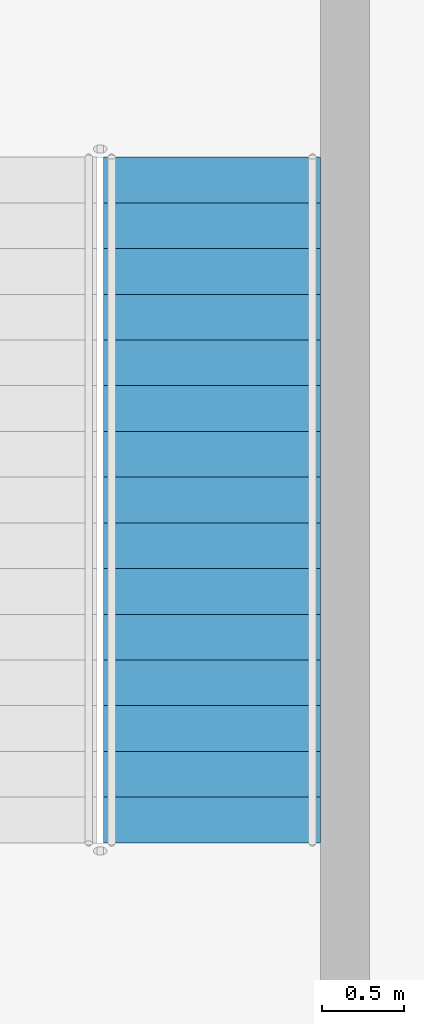
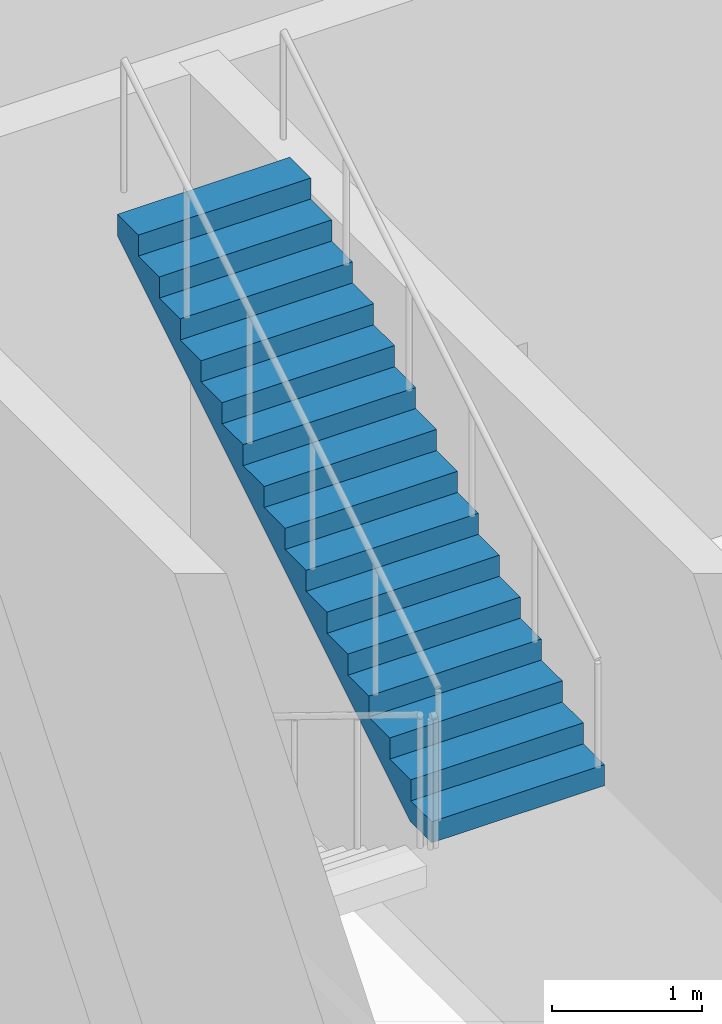
# One storey, part 6 of 14: 1 stair flight, 1 element without a shape of its own.
"""IFC4 building model written with IfcOpenShell, lengths in metres."""

import ifcopenshell
import ifcopenshell.guid

model = None  # the IFC model being written
_history = None  # IfcOwnerHistory: only IFC2X3 demands one
_inside = {}  # id of a spatial element -> (the spatial element, [elements in it])
_under = {}  # id of a project, library or spatial element -> (it, [spatial elements below it])
_declared = {}  # id of a project -> (the project, [libraries it declares])
_typed = {}  # id of a type object -> (the type object, [elements of that type])
_made_of = {}  # id of a material, layer set ... -> (it, [elements and type objects made of it])


def new_model(schema):
    """Start an empty IFC model of exactly this schema.

    Asked for "IFC4X3", IfcOpenShell would pick the latest addendum, in which some entities
    have other attributes; the version numbers below select the first issue.
    IFC2X3 requires an IfcOwnerHistory on every rooted entity: one is made here for all.
    """
    global model, _history
    if schema == "IFC4X3":
        model = ifcopenshell.file(schema_version=(4, 3, 0, 0))
    else:
        model = ifcopenshell.file(schema=schema)
    _inside.clear()
    _under.clear()
    _declared.clear()
    _typed.clear()
    _made_of.clear()
    _history = None
    if model.schema == "IFC2X3":
        org = make("IfcOrganization", Name="unknown")
        user = make(
            "IfcPersonAndOrganization",
            ThePerson=make("IfcPerson", FamilyName="unknown"),
            TheOrganization=org,
        )
        app = make(
            "IfcApplication",
            ApplicationDeveloper=org,
            Version="unknown",
            ApplicationFullName="unknown",
            ApplicationIdentifier="unknown",
        )
        _history = make(
            "IfcOwnerHistory",
            OwningUser=user,
            OwningApplication=app,
            ChangeAction="ADDED",
            CreationDate=0,
        )
    return model


def make(cls, **values):
    """One entity of the class cls with the attributes given. An attribute that is None is left unset."""
    return model.create_entity(
        cls, **{name: value for name, value in values.items() if value is not None}
    )


def rooted(cls, **values):
    """An entity with a GlobalId (a new one), such as an element, a storey or a relation."""
    return make(cls, GlobalId=ifcopenshell.guid.new(), OwnerHistory=_history, **values)


def si_unit(unit_type, name, prefix=None):
    """IfcSIUnit, for example si_unit("LENGTHUNIT", "METRE", prefix="MILLI")."""
    return make("IfcSIUnit", UnitType=unit_type, Prefix=prefix, Name=name)


def assignment(units):
    """IfcUnitAssignment: the units of a project."""
    return None if units is None else make("IfcUnitAssignment", Units=units)


def point(xyz):
    """IfcCartesianPoint."""
    return None if xyz is None else make("IfcCartesianPoint", Coordinates=xyz)


def direction(xyz):
    """IfcDirection."""
    return None if xyz is None else make("IfcDirection", DirectionRatios=xyz)


def frame(location, z_axis=None, x_axis=None):
    """IfcAxis2Placement3D, a coordinate frame: its origin and axes. An axis left out is left unset."""
    return make(
        "IfcAxis2Placement3D",
        Location=point(location),
        Axis=direction(z_axis),
        RefDirection=direction(x_axis),
    )


def origin():
    """The frame at (0, 0, 0) with its axes left unset."""
    return frame((0.0, 0.0, 0.0))


def place(relative_to, where):
    """IfcLocalPlacement: puts the frame where relative to a parent placement (None: the world)."""
    return make(
        "IfcLocalPlacement", PlacementRelTo=relative_to, RelativePlacement=where
    )


def context(
    kind, dimensions, precision=None, world=None, true_north=None, identifier=None
):
    """IfcGeometricRepresentationContext, for example the 3D "Model" context."""
    return make(
        "IfcGeometricRepresentationContext",
        ContextIdentifier=identifier,
        ContextType=kind,
        CoordinateSpaceDimension=dimensions,
        Precision=precision,
        WorldCoordinateSystem=world,
        TrueNorth=true_north,
    )


def subcontext(parent, identifier, kind, view, scale=None):
    """IfcGeometricRepresentationSubContext, for example "Body" below "Model"."""
    return make(
        "IfcGeometricRepresentationSubContext",
        ContextIdentifier=identifier,
        ContextType=kind,
        ParentContext=parent,
        TargetScale=scale,
        TargetView=view,
    )


def project(units=None, contexts=None):
    """IfcProject with its units and contexts."""
    return rooted(
        "IfcProject",
        Name="project",
        RepresentationContexts=contexts,
        UnitsInContext=assignment(units),
    )


def spatial(cls, under=None, at=None, **own):
    """A site, building, storey or space (cls), placed at a placement, below another one or the project."""
    s = rooted(cls, ObjectPlacement=at, **own)
    if under is not None:
        _under.setdefault(under.id(), (under, []))[1].append(s)
    return s


def point_list(points):
    """IfcCartesianPointList2D or 3D."""
    cls = (
        "IfcCartesianPointList2D" if len(points[0]) == 2 else "IfcCartesianPointList3D"
    )
    return make(cls, CoordList=points)


def triangles(points, corners, closed=None, point_numbers=None):
    """IfcTriangulatedFaceSet: each triangle names its three corners, points numbered from 1."""
    return make(
        "IfcTriangulatedFaceSet",
        Coordinates=point_list(points),
        Closed=closed,
        CoordIndex=corners,
        PnIndex=point_numbers,
    )


def shape(context_of_items, identifier, shape_type, items):
    """IfcShapeRepresentation: the items that make up one representation, for example the "Body"."""
    return make(
        "IfcShapeRepresentation",
        ContextOfItems=context_of_items,
        RepresentationIdentifier=identifier,
        RepresentationType=shape_type,
        Items=items,
    )


def source(mapping_origin, context_of_items, identifier, shape_type, items):
    """IfcRepresentationMap: a shape defined once, which mapped items show again and again."""
    return make(
        "IfcRepresentationMap",
        MappingOrigin=mapping_origin,
        MappedRepresentation=shape(context_of_items, identifier, shape_type, items),
    )


def transform(
    local_origin,
    x_axis=None,
    y_axis=None,
    z_axis=None,
    scale=None,
    scale2=None,
    scale3=None,
    uniform=True,
):
    """IfcCartesianTransformationOperator3D, or its non-uniform kind. x_axis, y_axis, z_axis: its Axis1, 2, 3."""
    if uniform:
        return make(
            "IfcCartesianTransformationOperator3D",
            Axis1=direction(x_axis),
            Axis2=direction(y_axis),
            LocalOrigin=point(local_origin),
            Scale=scale,
            Axis3=direction(z_axis),
        )
    return make(
        "IfcCartesianTransformationOperator3DnonUniform",
        Axis1=direction(x_axis),
        Axis2=direction(y_axis),
        LocalOrigin=point(local_origin),
        Scale=scale,
        Axis3=direction(z_axis),
        Scale2=scale2,
        Scale3=scale3,
    )


def mapped(mapping_source, mapping_target):
    """IfcMappedItem: shows the shape of a source again, moved by a transform."""
    return make(
        "IfcMappedItem", MappingSource=mapping_source, MappingTarget=mapping_target
    )


def material(Name=None, Category=None):
    """IfcMaterial."""
    return make("IfcMaterial", Name=Name, Category=Category)


def made_of(thing, what):
    """Note that an element or type object is made of a material, layer set ...; save() writes the relation."""
    if what is not None:
        _made_of.setdefault(what.id(), (what, []))[1].append(thing)
    return thing


def type_object(cls, material=None, **own):
    """A type object (cls), such as IfcWallType, which elements share."""
    return made_of(rooted(cls, **own), material)


def element(
    cls,
    number,
    at=None,
    inside=None,
    cuts=None,
    type_object=None,
    material=None,
    context=None,
    identifier="Body",
    shape_type=None,
    held_by="IfcProductDefinitionShape",
    body=None,
    shapes=None,
    **own,
):
    """One element of the class cls, such as IfcWall. Its Tag is "e" and its number.

    at: its placement. inside: the storey or other place that contains it. cuts: it is an
    opening in that element (IfcRelVoidsElement). A single representation is given by context,
    identifier, shape_type and body (its items); several are given by shapes. held_by: the class
    of the entity that holds the representations. save() writes the other relations.
    """
    e = rooted(cls, Tag="e%d" % number, ObjectPlacement=at, **own)
    if body is not None:
        shapes = [shape(context, identifier, shape_type, body)]
    if shapes is not None:
        e.Representation = make(held_by, Representations=shapes)
    if inside is not None:
        _inside.setdefault(inside.id(), (inside, []))[1].append(e)
    if cuts is not None:
        rooted(
            "IfcRelVoidsElement", RelatingBuildingElement=cuts, RelatedOpeningElement=e
        )
    if type_object is not None:
        _typed.setdefault(type_object.id(), (type_object, []))[1].append(e)
    return made_of(e, material)


def aggregate(whole, parts):
    """IfcRelAggregates: a whole, such as a stair, and the parts it consists of."""
    return rooted("IfcRelAggregates", RelatingObject=whole, RelatedObjects=parts)


def save(model, path):
    """Write the relations noted so far, then the file.

    IfcRelAggregates (storeys below a building ...), IfcRelContainedInSpatialStructure (elements
    in a storey), IfcRelDefinesByType, IfcRelAssociatesMaterial and IfcRelDeclares: one each for
    every whole, place, type object, material and project.
    """
    for whole, parts in _under.values():
        aggregate(whole, parts)
    for where, things in _inside.values():
        rooted(
            "IfcRelContainedInSpatialStructure",
            RelatedElements=things,
            RelatingStructure=where,
        )
    for kind, things in _typed.values():
        rooted("IfcRelDefinesByType", RelatedObjects=things, RelatingType=kind)
    for what, things in _made_of.values():
        rooted("IfcRelAssociatesMaterial", RelatedObjects=things, RelatingMaterial=what)
    for by, libraries in _declared.values():
        rooted("IfcRelDeclares", RelatingContext=by, RelatedDefinitions=libraries)
    model.write(path)


model = new_model("IFC4")

# Units and contexts
model_context = context("Model", 3, precision=1e-05, world=origin(), true_north=direction((0.0, 1.0)))
body_context = subcontext(model_context, "Body", "Model", "MODEL_VIEW")
ifc_project = project(units=[si_unit("LENGTHUNIT", "METRE"), si_unit("AREAUNIT", "SQUARE_METRE"), si_unit("VOLUMEUNIT", "CUBIC_METRE"), si_unit("PLANEANGLEUNIT", "RADIAN"), si_unit("MASSUNIT", "GRAM", prefix="KILO")], contexts=[model_context])

# Site, building, storey
site_placement = place(None, origin())
site = spatial("IfcSite", under=ifc_project, at=site_placement, CompositionType="ELEMENT")
building_placement = place(site_placement, origin())
building = spatial("IfcBuilding", under=site, at=building_placement, Name="Ogive Portal Towers", CompositionType="ELEMENT")
storey_placement = place(building_placement, frame((0.0, 0.0, 243.89990234375)))
storey = spatial("IfcBuildingStorey", under=building, at=storey_placement, Name="L61", CompositionType="ELEMENT", Elevation=243.89990234375)

# Stair, stair flight
ifc_material = material(Name="Concrete C40/50", Category="concrete")
stair_type = type_object("IfcStairType", Name="INT-STAIR", PredefinedType="HALF_TURN_STAIR", material=ifc_material)
stair_placement = place(storey_placement, origin())
stair = element("IfcStair", 1, at=stair_placement, inside=storey, type_object=stair_type, Name="L61 Exit Stair ST-A4", PredefinedType="HALF_TURN_STAIR")
stair_flight_type = type_object("IfcStairFlightType", Name="INT-FLIGHT", PredefinedType="STRAIGHT", material=ifc_material)
shared_shape = source(origin(), body_context, "Body", "Tessellation", [
    triangles([(0.0, -0.6650390625, 0.0), (0.0, -0.384765625, 0.0), (0.0, -0.197021484375, 0.0), (0.0, -0.0830078125, 0.0), (0.0, -0.024658203125, 0.0), (0.0, -0.003173828125, 0.0), (0.0, 0.0, 0.0), (0.0, 0.003173828125, 0.0), (0.0, 0.024658203125, 0.0), (0.0, 0.0830078125, 0.0), (0.0, 0.197021484375, 0.0), (0.0, 0.384765625, 0.0), (0.0, 0.6650390625, 0.0), (0.0, -0.6650390625, 0.171875), (0.0, -0.384765625, 0.171875), (0.0, -0.197021484375, 0.171875), (0.0, -0.0830078125, 0.171875), (0.0, -0.024658203125, 0.171875), (0.0, -0.003173828125, 0.171875), (0.0, 0.0, 0.171875), (0.0, 0.003173828125, 0.171875), (0.0, 0.024658203125, 0.171875), (0.0, 0.0830078125, 0.171875), (0.0, 0.197021484375, 0.171875), (0.0, 0.384765625, 0.171875), (0.0, 0.6650390625, 0.171875), (0.280029296875, -0.6650390625, 0.171875), (0.280029296875, -0.384765625, 0.171875), (0.280029296875, -0.197021484375, 0.171875), (0.280029296875, -0.0830078125, 0.171875), (0.280029296875, -0.024658203125, 0.171875), (0.280029296875, -0.003173828125, 0.171875), (0.280029296875, 0.0, 0.171875), (0.280029296875, 0.003173828125, 0.171875), (0.280029296875, 0.024658203125, 0.171875), (0.280029296875, 0.0830078125, 0.171875), (0.280029296875, 0.197021484375, 0.171875), (0.280029296875, 0.384765625, 0.171875), (0.280029296875, 0.6650390625, 0.171875), (0.280029296875, -0.6650390625, 0.34375), (0.280029296875, -0.384765625, 0.34375), (0.280029296875, -0.197021484375, 0.34375), (0.280029296875, -0.0830078125, 0.34375), (0.280029296875, -0.024658203125, 0.34375), (0.280029296875, -0.003173828125, 0.34375), (0.280029296875, 0.0, 0.34375), (0.280029296875, 0.003173828125, 0.34375), (0.280029296875, 0.024658203125, 0.34375), (0.280029296875, 0.0830078125, 0.34375), (0.280029296875, 0.197021484375, 0.34375), (0.280029296875, 0.384765625, 0.34375), (0.280029296875, 0.6650390625, 0.34375), (0.56005859375, -0.6650390625, 0.34375), (0.56005859375, -0.384765625, 0.34375), (0.56005859375, -0.197021484375, 0.34375), (0.56005859375, -0.0830078125, 0.34375), (0.56005859375, -0.024658203125, 0.34375), (0.56005859375, -0.003173828125, 0.34375), (0.56005859375, 0.0, 0.34375), (0.56005859375, 0.003173828125, 0.34375), (0.56005859375, 0.024658203125, 0.34375), (0.56005859375, 0.0830078125, 0.34375), (0.56005859375, 0.197021484375, 0.34375), (0.56005859375, 0.384765625, 0.34375), (0.56005859375, 0.6650390625, 0.34375), (0.56005859375, -0.6650390625, 0.515625), (0.56005859375, -0.384765625, 0.515625), (0.56005859375, -0.197021484375, 0.515625), (0.56005859375, -0.0830078125, 0.515625), (0.56005859375, -0.024658203125, 0.515625), (0.56005859375, -0.003173828125, 0.515625), (0.56005859375, 0.0, 0.515625), (0.56005859375, 0.003173828125, 0.515625), (0.56005859375, 0.024658203125, 0.515625), (0.56005859375, 0.0830078125, 0.515625), (0.56005859375, 0.197021484375, 0.515625), (0.56005859375, 0.384765625, 0.515625), (0.56005859375, 0.6650390625, 0.515625), (0.840087890625, -0.6650390625, 0.515625), (0.840087890625, -0.384765625, 0.515625), (0.840087890625, -0.197021484375, 0.515625), (0.840087890625, -0.0830078125, 0.515625), (0.840087890625, -0.024658203125, 0.515625), (0.840087890625, -0.003173828125, 0.515625), (0.840087890625, 0.0, 0.515625), (0.840087890625, 0.003173828125, 0.515625), (0.840087890625, 0.024658203125, 0.515625), (0.840087890625, 0.0830078125, 0.515625), (0.840087890625, 0.197021484375, 0.515625), (0.840087890625, 0.384765625, 0.515625), (0.840087890625, 0.6650390625, 0.515625), (0.840087890625, -0.6650390625, 0.6875), (0.840087890625, -0.384765625, 0.6875), (0.840087890625, -0.197021484375, 0.6875), (0.840087890625, -0.0830078125, 0.6875), (0.840087890625, -0.024658203125, 0.6875), (0.840087890625, -0.003173828125, 0.6875), (0.840087890625, 0.0, 0.6875), (0.840087890625, 0.003173828125, 0.6875), (0.840087890625, 0.024658203125, 0.6875), (0.840087890625, 0.0830078125, 0.6875), (0.840087890625, 0.197021484375, 0.6875), (0.840087890625, 0.384765625, 0.6875), (0.840087890625, 0.6650390625, 0.6875), (1.1201171875, -0.6650390625, 0.6875), (1.1201171875, -0.384765625, 0.6875), (1.1201171875, -0.197021484375, 0.6875), (1.1201171875, -0.0830078125, 0.6875), (1.1201171875, -0.024658203125, 0.6875), (1.1201171875, -0.003173828125, 0.6875), (1.1201171875, 0.0, 0.6875), (1.1201171875, 0.003173828125, 0.6875), (1.1201171875, 0.024658203125, 0.6875), (1.1201171875, 0.0830078125, 0.6875), (1.1201171875, 0.197021484375, 0.6875), (1.1201171875, 0.384765625, 0.6875), (1.1201171875, 0.6650390625, 0.6875), (1.1201171875, -0.6650390625, 0.859375), (1.1201171875, -0.384765625, 0.859375), (1.1201171875, -0.197021484375, 0.859375), (1.1201171875, -0.0830078125, 0.859375), (1.1201171875, -0.024658203125, 0.859375), (1.1201171875, -0.003173828125, 0.859375), (1.1201171875, 0.0, 0.859375), (1.1201171875, 0.003173828125, 0.859375), (1.1201171875, 0.024658203125, 0.859375), (1.1201171875, 0.0830078125, 0.859375), (1.1201171875, 0.197021484375, 0.859375), (1.1201171875, 0.384765625, 0.859375), (1.1201171875, 0.6650390625, 0.859375), (1.39990234375, -0.6650390625, 0.859375), (1.39990234375, -0.384765625, 0.859375), (1.39990234375, -0.197021484375, 0.859375), (1.39990234375, -0.0830078125, 0.859375), (1.39990234375, -0.024658203125, 0.859375), (1.39990234375, -0.003173828125, 0.859375), (1.39990234375, 0.0, 0.859375), (1.39990234375, 0.003173828125, 0.859375), (1.39990234375, 0.024658203125, 0.859375), (1.39990234375, 0.0830078125, 0.859375), (1.39990234375, 0.197021484375, 0.859375), (1.39990234375, 0.384765625, 0.859375), (1.39990234375, 0.6650390625, 0.859375), (1.39990234375, -0.6650390625, 1.03125), (1.39990234375, -0.384765625, 1.03125), (1.39990234375, -0.197021484375, 1.03125), (1.39990234375, -0.0830078125, 1.03125), (1.39990234375, -0.024658203125, 1.03125), (1.39990234375, -0.003173828125, 1.03125), (1.39990234375, 0.0, 1.03125), (1.39990234375, 0.003173828125, 1.03125), (1.39990234375, 0.024658203125, 1.03125), (1.39990234375, 0.0830078125, 1.03125), (1.39990234375, 0.197021484375, 1.03125), (1.39990234375, 0.384765625, 1.03125), (1.39990234375, 0.6650390625, 1.03125), (1.679931640625, -0.6650390625, 1.03125), (1.679931640625, -0.384765625, 1.03125), (1.679931640625, -0.197021484375, 1.03125), (1.679931640625, -0.0830078125, 1.03125), (1.679931640625, -0.024658203125, 1.03125), (1.679931640625, -0.003173828125, 1.03125), (1.679931640625, 0.0, 1.03125), (1.679931640625, 0.003173828125, 1.03125), (1.679931640625, 0.024658203125, 1.03125), (1.679931640625, 0.0830078125, 1.03125), (1.679931640625, 0.197021484375, 1.03125), (1.679931640625, 0.384765625, 1.03125), (1.679931640625, 0.6650390625, 1.03125), (1.679931640625, -0.6650390625, 1.203125), (1.679931640625, -0.384765625, 1.203125), (1.679931640625, -0.197021484375, 1.203125), (1.679931640625, -0.0830078125, 1.203125), (1.679931640625, -0.024658203125, 1.203125), (1.679931640625, -0.003173828125, 1.203125), (1.679931640625, 0.0, 1.203125), (1.679931640625, 0.003173828125, 1.203125), (1.679931640625, 0.024658203125, 1.203125), (1.679931640625, 0.0830078125, 1.203125), (1.679931640625, 0.197021484375, 1.203125), (1.679931640625, 0.384765625, 1.203125), (1.679931640625, 0.6650390625, 1.203125), (1.9599609375, -0.6650390625, 1.203125), (1.9599609375, -0.384765625, 1.203125), (1.9599609375, -0.197021484375, 1.203125), (1.9599609375, -0.0830078125, 1.203125), (1.9599609375, -0.024658203125, 1.203125), (1.9599609375, -0.003173828125, 1.203125), (1.9599609375, 0.0, 1.203125), (1.9599609375, 0.003173828125, 1.203125), (1.9599609375, 0.024658203125, 1.203125), (1.9599609375, 0.0830078125, 1.203125), (1.9599609375, 0.197021484375, 1.203125), (1.9599609375, 0.384765625, 1.203125), (1.9599609375, 0.6650390625, 1.203125), (1.9599609375, -0.6650390625, 1.375), (1.9599609375, -0.384765625, 1.375), (1.9599609375, -0.197021484375, 1.375), (1.9599609375, -0.0830078125, 1.375), (1.9599609375, -0.024658203125, 1.375), (1.9599609375, -0.003173828125, 1.375), (1.9599609375, 0.0, 1.375), (1.9599609375, 0.003173828125, 1.375), (1.9599609375, 0.024658203125, 1.375), (1.9599609375, 0.0830078125, 1.375), (1.9599609375, 0.197021484375, 1.375), (1.9599609375, 0.384765625, 1.375), (1.9599609375, 0.6650390625, 1.375), (2.239990234375, -0.6650390625, 1.375), (2.239990234375, -0.384765625, 1.375), (2.239990234375, -0.197021484375, 1.375), (2.239990234375, -0.0830078125, 1.375), (2.239990234375, -0.024658203125, 1.375), (2.239990234375, -0.003173828125, 1.375), (2.239990234375, 0.0, 1.375), (2.239990234375, 0.003173828125, 1.375), (2.239990234375, 0.024658203125, 1.375), (2.239990234375, 0.0830078125, 1.375), (2.239990234375, 0.197021484375, 1.375), (2.239990234375, 0.384765625, 1.375), (2.239990234375, 0.6650390625, 1.375), (2.239990234375, -0.6650390625, 1.546875), (2.239990234375, -0.384765625, 1.546875), (2.239990234375, -0.197021484375, 1.546875), (2.239990234375, -0.0830078125, 1.546875), (2.239990234375, -0.024658203125, 1.546875), (2.239990234375, -0.003173828125, 1.546875), (2.239990234375, 0.0, 1.546875), (2.239990234375, 0.003173828125, 1.546875), (2.239990234375, 0.024658203125, 1.546875), (2.239990234375, 0.0830078125, 1.546875), (2.239990234375, 0.197021484375, 1.546875), (2.239990234375, 0.384765625, 1.546875), (2.239990234375, 0.6650390625, 1.546875), (2.52001953125, -0.6650390625, 1.546875), (2.52001953125, -0.384765625, 1.546875), (2.52001953125, -0.197021484375, 1.546875), (2.52001953125, -0.0830078125, 1.546875), (2.52001953125, -0.024658203125, 1.546875), (2.52001953125, -0.003173828125, 1.546875), (2.52001953125, 0.0, 1.546875), (2.52001953125, 0.003173828125, 1.546875), (2.52001953125, 0.024658203125, 1.546875), (2.52001953125, 0.0830078125, 1.546875), (2.52001953125, 0.197021484375, 1.546875), (2.52001953125, 0.384765625, 1.546875), (2.52001953125, 0.6650390625, 1.546875), (2.52001953125, -0.6650390625, 1.71875), (2.52001953125, -0.384765625, 1.71875), (2.52001953125, -0.197021484375, 1.71875), (2.52001953125, -0.0830078125, 1.71875), (2.52001953125, -0.024658203125, 1.71875), (2.52001953125, -0.003173828125, 1.71875), (2.52001953125, 0.0, 1.71875), (2.52001953125, 0.003173828125, 1.71875), (2.52001953125, 0.024658203125, 1.71875), (2.52001953125, 0.0830078125, 1.71875), (2.52001953125, 0.197021484375, 1.71875), (2.52001953125, 0.384765625, 1.71875), (2.52001953125, 0.6650390625, 1.71875), (2.800048828125, -0.6650390625, 1.71875), (2.800048828125, -0.384765625, 1.71875), (2.800048828125, -0.197021484375, 1.71875), (2.800048828125, -0.0830078125, 1.71875), (2.800048828125, -0.024658203125, 1.71875), (2.800048828125, -0.003173828125, 1.71875), (2.800048828125, 0.0, 1.71875), (2.800048828125, 0.003173828125, 1.71875), (2.800048828125, 0.024658203125, 1.71875), (2.800048828125, 0.0830078125, 1.71875), (2.800048828125, 0.197021484375, 1.71875), (2.800048828125, 0.384765625, 1.71875), (2.800048828125, 0.6650390625, 1.71875), (2.800048828125, -0.6650390625, 1.890625), (2.800048828125, -0.384765625, 1.890625), (2.800048828125, -0.197021484375, 1.890625), (2.800048828125, -0.0830078125, 1.890625), (2.800048828125, -0.024658203125, 1.890625), (2.800048828125, -0.003173828125, 1.890625), (2.800048828125, 0.0, 1.890625), (2.800048828125, 0.003173828125, 1.890625), (2.800048828125, 0.024658203125, 1.890625), (2.800048828125, 0.0830078125, 1.890625), (2.800048828125, 0.197021484375, 1.890625), (2.800048828125, 0.384765625, 1.890625), (2.800048828125, 0.6650390625, 1.890625), (3.080078125, -0.6650390625, 1.890625), (3.080078125, -0.384765625, 1.890625), (3.080078125, -0.197021484375, 1.890625), (3.080078125, -0.0830078125, 1.890625), (3.080078125, -0.024658203125, 1.890625), (3.080078125, -0.003173828125, 1.890625), (3.080078125, 0.0, 1.890625), (3.080078125, 0.003173828125, 1.890625), (3.080078125, 0.024658203125, 1.890625), (3.080078125, 0.0830078125, 1.890625), (3.080078125, 0.197021484375, 1.890625), (3.080078125, 0.384765625, 1.890625), (3.080078125, 0.6650390625, 1.890625), (3.080078125, -0.6650390625, 2.0625), (3.080078125, -0.384765625, 2.0625), (3.080078125, -0.197021484375, 2.0625), (3.080078125, -0.0830078125, 2.0625), (3.080078125, -0.024658203125, 2.0625), (3.080078125, -0.003173828125, 2.0625), (3.080078125, 0.0, 2.0625), (3.080078125, 0.003173828125, 2.0625), (3.080078125, 0.024658203125, 2.0625), (3.080078125, 0.0830078125, 2.0625), (3.080078125, 0.197021484375, 2.0625), (3.080078125, 0.384765625, 2.0625), (3.080078125, 0.6650390625, 2.0625), (3.360107421875, -0.6650390625, 2.0625), (3.360107421875, -0.384765625, 2.0625), (3.360107421875, -0.197021484375, 2.0625), (3.360107421875, -0.0830078125, 2.0625), (3.360107421875, -0.024658203125, 2.0625), (3.360107421875, -0.003173828125, 2.0625), (3.360107421875, 0.0, 2.0625), (3.360107421875, 0.003173828125, 2.0625), (3.360107421875, 0.024658203125, 2.0625), (3.360107421875, 0.0830078125, 2.0625), (3.360107421875, 0.197021484375, 2.0625), (3.360107421875, 0.384765625, 2.0625), (3.360107421875, 0.6650390625, 2.0625), (3.360107421875, -0.6650390625, 2.234375), (3.360107421875, -0.384765625, 2.234375), (3.360107421875, -0.197021484375, 2.234375), (3.360107421875, -0.0830078125, 2.234375), (3.360107421875, -0.024658203125, 2.234375), (3.360107421875, -0.003173828125, 2.234375), (3.360107421875, 0.0, 2.234375), (3.360107421875, 0.003173828125, 2.234375), (3.360107421875, 0.024658203125, 2.234375), (3.360107421875, 0.0830078125, 2.234375), (3.360107421875, 0.197021484375, 2.234375), (3.360107421875, 0.384765625, 2.234375), (3.360107421875, 0.6650390625, 2.234375), (3.639892578125, -0.6650390625, 2.234375), (3.639892578125, -0.384765625, 2.234375), (3.639892578125, -0.197021484375, 2.234375), (3.639892578125, -0.0830078125, 2.234375), (3.639892578125, -0.024658203125, 2.234375), (3.639892578125, -0.003173828125, 2.234375), (3.639892578125, 0.0, 2.234375), (3.639892578125, 0.003173828125, 2.234375), (3.639892578125, 0.024658203125, 2.234375), (3.639892578125, 0.0830078125, 2.234375), (3.639892578125, 0.197021484375, 2.234375), (3.639892578125, 0.384765625, 2.234375), (3.639892578125, 0.6650390625, 2.234375), (3.639892578125, -0.6650390625, 2.40625), (3.639892578125, -0.384765625, 2.40625), (3.639892578125, -0.197021484375, 2.40625), (3.639892578125, -0.0830078125, 2.40625), (3.639892578125, -0.024658203125, 2.40625), (3.639892578125, -0.003173828125, 2.40625), (3.639892578125, 0.0, 2.40625), (3.639892578125, 0.003173828125, 2.40625), (3.639892578125, 0.024658203125, 2.40625), (3.639892578125, 0.0830078125, 2.40625), (3.639892578125, 0.197021484375, 2.40625), (3.639892578125, 0.384765625, 2.40625), (3.639892578125, 0.6650390625, 2.40625), (3.919921875, -0.6650390625, 2.40625), (3.919921875, -0.384765625, 2.40625), (3.919921875, -0.197021484375, 2.40625), (3.919921875, -0.0830078125, 2.40625), (3.919921875, -0.024658203125, 2.40625), (3.919921875, -0.003173828125, 2.40625), (3.919921875, 0.0, 2.40625), (3.919921875, 0.003173828125, 2.40625), (3.919921875, 0.024658203125, 2.40625), (3.919921875, 0.0830078125, 2.40625), (3.919921875, 0.197021484375, 2.40625), (3.919921875, 0.384765625, 2.40625), (3.919921875, 0.6650390625, 2.40625), (3.919921875, -0.6650390625, 2.578125), (3.919921875, -0.384765625, 2.578125), (3.919921875, -0.197021484375, 2.578125), (3.919921875, -0.0830078125, 2.578125), (3.919921875, -0.024658203125, 2.578125), (3.919921875, -0.003173828125, 2.578125), (3.919921875, 0.0, 2.578125), (3.919921875, 0.003173828125, 2.578125), (3.919921875, 0.024658203125, 2.578125), (3.919921875, 0.0830078125, 2.578125), (3.919921875, 0.197021484375, 2.578125), (3.919921875, 0.384765625, 2.578125), (3.919921875, 0.6650390625, 2.578125), (4.199951171875, -0.6650390625, 2.578125), (4.199951171875, -0.384765625, 2.578125), (4.199951171875, -0.197021484375, 2.578125), (4.199951171875, -0.0830078125, 2.578125), (4.199951171875, -0.024658203125, 2.578125), (4.199951171875, -0.003173828125, 2.578125), (4.199951171875, 0.0, 2.578125), (4.199951171875, 0.003173828125, 2.578125), (4.199951171875, 0.024658203125, 2.578125), (4.199951171875, 0.0830078125, 2.578125), (4.199951171875, 0.197021484375, 2.578125), (4.199951171875, 0.384765625, 2.578125), (4.199951171875, 0.6650390625, 2.578125), (4.199951171875, -0.6650390625, 2.40234375), (4.199951171875, -0.384765625, 2.40234375), (4.199951171875, -0.197021484375, 2.40234375), (4.199951171875, -0.0830078125, 2.40234375), (4.199951171875, -0.024658203125, 2.40234375), (4.199951171875, -0.003173828125, 2.40234375), (4.199951171875, 0.0, 2.40234375), (4.199951171875, 0.003173828125, 2.40234375), (4.199951171875, 0.024658203125, 2.40234375), (4.199951171875, 0.0830078125, 2.40234375), (4.199951171875, 0.197021484375, 2.40234375), (4.199951171875, 0.384765625, 2.40234375), (4.199951171875, 0.6650390625, 2.40234375), (0.28662109375, -0.6650390625, 0.0), (0.28662109375, -0.384765625, 0.0), (0.28662109375, -0.197021484375, 0.0), (0.28662109375, -0.0830078125, 0.0), (0.28662109375, -0.024658203125, 0.0), (0.28662109375, -0.003173828125, 0.0), (0.28662109375, 0.0, 0.0), (0.28662109375, 0.003173828125, 0.0), (0.28662109375, 0.024658203125, 0.0), (0.28662109375, 0.0830078125, 0.0), (0.28662109375, 0.197021484375, 0.0), (0.28662109375, 0.384765625, 0.0), (0.28662109375, 0.6650390625, 0.0)], [[1, 14, 15], [1, 15, 2], [2, 15, 16], [2, 16, 3], [3, 16, 17], [3, 17, 4], [4, 17, 18], [4, 18, 5], [5, 18, 19], [5, 19, 6], [6, 19, 20], [6, 20, 7], [7, 20, 21], [7, 21, 8], [8, 21, 22], [8, 22, 9], [9, 22, 23], [9, 23, 10], [10, 23, 24], [10, 24, 11], [11, 24, 25], [11, 25, 12], [12, 25, 26], [12, 26, 13], [14, 27, 28], [14, 28, 15], [15, 28, 29], [15, 29, 16], [16, 29, 30], [16, 30, 17], [17, 30, 31], [17, 31, 18], [18, 31, 32], [18, 32, 19], [19, 32, 33], [19, 33, 20], [20, 33, 34], [20, 34, 21], [21, 34, 35], [21, 35, 22], [22, 35, 36], [22, 36, 23], [23, 36, 37], [23, 37, 24], [24, 37, 38], [24, 38, 25], [25, 38, 39], [25, 39, 26], [27, 40, 41], [27, 41, 28], [28, 41, 42], [28, 42, 29], [29, 42, 43], [29, 43, 30], [30, 43, 44], [30, 44, 31], [31, 44, 45], [31, 45, 32], [32, 45, 46], [32, 46, 33], [33, 46, 47], [33, 47, 34], [34, 47, 48], [34, 48, 35], [35, 48, 49], [35, 49, 36], [36, 49, 50], [36, 50, 37], [37, 50, 51], [37, 51, 38], [38, 51, 52], [38, 52, 39], [40, 53, 54], [40, 54, 41], [41, 54, 55], [41, 55, 42], [42, 55, 56], [42, 56, 43], [43, 56, 57], [43, 57, 44], [44, 57, 58], [44, 58, 45], [45, 58, 59], [45, 59, 46], [46, 59, 60], [46, 60, 47], [47, 60, 61], [47, 61, 48], [48, 61, 62], [48, 62, 49], [49, 62, 63], [49, 63, 50], [50, 63, 64], [50, 64, 51], [51, 64, 65], [51, 65, 52], [53, 66, 67], [53, 67, 54], [54, 67, 68], [54, 68, 55], [55, 68, 69], [55, 69, 56], [56, 69, 70], [56, 70, 57], [57, 70, 71], [57, 71, 58], [58, 71, 72], [58, 72, 59], [59, 72, 73], [59, 73, 60], [60, 73, 74], [60, 74, 61], [61, 74, 75], [61, 75, 62], [62, 75, 76], [62, 76, 63], [63, 76, 77], [63, 77, 64], [64, 77, 78], [64, 78, 65], [66, 79, 80], [66, 80, 67], [67, 80, 81], [67, 81, 68], [68, 81, 82], [68, 82, 69], [69, 82, 83], [69, 83, 70], [70, 83, 84], [70, 84, 71], [71, 84, 85], [71, 85, 72], [72, 85, 86], [72, 86, 73], [73, 86, 87], [73, 87, 74], [74, 87, 88], [74, 88, 75], [75, 88, 89], [75, 89, 76], [76, 89, 90], [76, 90, 77], [77, 90, 91], [77, 91, 78], [79, 92, 93], [79, 93, 80], [80, 93, 94], [80, 94, 81], [81, 94, 95], [81, 95, 82], [82, 95, 96], [82, 96, 83], [83, 96, 97], [83, 97, 84], [84, 97, 98], [84, 98, 85], [85, 98, 99], [85, 99, 86], [86, 99, 100], [86, 100, 87], [87, 100, 101], [87, 101, 88], [88, 101, 102], [88, 102, 89], [89, 102, 103], [89, 103, 90], [90, 103, 104], [90, 104, 91], [92, 105, 106], [92, 106, 93], [93, 106, 107], [93, 107, 94], [94, 107, 108], [94, 108, 95], [95, 108, 109], [95, 109, 96], [96, 109, 110], [96, 110, 97], [97, 110, 111], [97, 111, 98], [98, 111, 112], [98, 112, 99], [99, 112, 113], [99, 113, 100], [100, 113, 114], [100, 114, 101], [101, 114, 115], [101, 115, 102], [102, 115, 116], [102, 116, 103], [103, 116, 117], [103, 117, 104], [105, 118, 119], [105, 119, 106], [106, 119, 120], [106, 120, 107], [107, 120, 121], [107, 121, 108], [108, 121, 122], [108, 122, 109], [109, 122, 123], [109, 123, 110], [110, 123, 124], [110, 124, 111], [111, 124, 125], [111, 125, 112], [112, 125, 126], [112, 126, 113], [113, 126, 127], [113, 127, 114], [114, 127, 128], [114, 128, 115], [115, 128, 129], [115, 129, 116], [116, 129, 130], [116, 130, 117], [118, 131, 132], [118, 132, 119], [119, 132, 133], [119, 133, 120], [120, 133, 134], [120, 134, 121], [121, 134, 135], [121, 135, 122], [122, 135, 136], [122, 136, 123], [123, 136, 137], [123, 137, 124], [124, 137, 138], [124, 138, 125], [125, 138, 139], [125, 139, 126], [126, 139, 140], [126, 140, 127], [127, 140, 141], [127, 141, 128], [128, 141, 142], [128, 142, 129], [129, 142, 143], [129, 143, 130], [131, 144, 145], [131, 145, 132], [132, 145, 146], [132, 146, 133], [133, 146, 147], [133, 147, 134], [134, 147, 148], [134, 148, 135], [135, 148, 149], [135, 149, 136], [136, 149, 150], [136, 150, 137], [137, 150, 151], [137, 151, 138], [138, 151, 152], [138, 152, 139], [139, 152, 153], [139, 153, 140], [140, 153, 154], [140, 154, 141], [141, 154, 155], [141, 155, 142], [142, 155, 156], [142, 156, 143], [144, 157, 158], [144, 158, 145], [145, 158, 159], [145, 159, 146], [146, 159, 160], [146, 160, 147], [147, 160, 161], [147, 161, 148], [148, 161, 162], [148, 162, 149], [149, 162, 163], [149, 163, 150], [150, 163, 164], [150, 164, 151], [151, 164, 165], [151, 165, 152], [152, 165, 166], [152, 166, 153], [153, 166, 167], [153, 167, 154], [154, 167, 168], [154, 168, 155], [155, 168, 169], [155, 169, 156], [157, 170, 171], [157, 171, 158], [158, 171, 172], [158, 172, 159], [159, 172, 173], [159, 173, 160], [160, 173, 174], [160, 174, 161], [161, 174, 175], [161, 175, 162], [162, 175, 176], [162, 176, 163], [163, 176, 177], [163, 177, 164], [164, 177, 178], [164, 178, 165], [165, 178, 179], [165, 179, 166], [166, 179, 180], [166, 180, 167], [167, 180, 181], [167, 181, 168], [168, 181, 182], [168, 182, 169], [170, 183, 184], [170, 184, 171], [171, 184, 185], [171, 185, 172], [172, 185, 186], [172, 186, 173], [173, 186, 187], [173, 187, 174], [174, 187, 188], [174, 188, 175], [175, 188, 189], [175, 189, 176], [176, 189, 190], [176, 190, 177], [177, 190, 191], [177, 191, 178], [178, 191, 192], [178, 192, 179], [179, 192, 193], [179, 193, 180], [180, 193, 194], [180, 194, 181], [181, 194, 195], [181, 195, 182], [183, 196, 197], [183, 197, 184], [184, 197, 198], [184, 198, 185], [185, 198, 199], [185, 199, 186], [186, 199, 200], [186, 200, 187], [187, 200, 201], [187, 201, 188], [188, 201, 202], [188, 202, 189], [189, 202, 203], [189, 203, 190], [190, 203, 204], [190, 204, 191], [191, 204, 205], [191, 205, 192], [192, 205, 206], [192, 206, 193], [193, 206, 207], [193, 207, 194], [194, 207, 208], [194, 208, 195], [196, 209, 210], [196, 210, 197], [197, 210, 211], [197, 211, 198], [198, 211, 212], [198, 212, 199], [199, 212, 213], [199, 213, 200], [200, 213, 214], [200, 214, 201], [201, 214, 215], [201, 215, 202], [202, 215, 216], [202, 216, 203], [203, 216, 217], [203, 217, 204], [204, 217, 218], [204, 218, 205], [205, 218, 219], [205, 219, 206], [206, 219, 220], [206, 220, 207], [207, 220, 221], [207, 221, 208], [209, 222, 223], [209, 223, 210], [210, 223, 224], [210, 224, 211], [211, 224, 225], [211, 225, 212], [212, 225, 226], [212, 226, 213], [213, 226, 227], [213, 227, 214], [214, 227, 228], [214, 228, 215], [215, 228, 229], [215, 229, 216], [216, 229, 230], [216, 230, 217], [217, 230, 231], [217, 231, 218], [218, 231, 232], [218, 232, 219], [219, 232, 233], [219, 233, 220], [220, 233, 234], [220, 234, 221], [222, 235, 236], [222, 236, 223], [223, 236, 237], [223, 237, 224], [224, 237, 238], [224, 238, 225], [225, 238, 239], [225, 239, 226], [226, 239, 240], [226, 240, 227], [227, 240, 241], [227, 241, 228], [228, 241, 242], [228, 242, 229], [229, 242, 243], [229, 243, 230], [230, 243, 244], [230, 244, 231], [231, 244, 245], [231, 245, 232], [232, 245, 246], [232, 246, 233], [233, 246, 247], [233, 247, 234], [235, 248, 249], [235, 249, 236], [236, 249, 250], [236, 250, 237], [237, 250, 251], [237, 251, 238], [238, 251, 252], [238, 252, 239], [239, 252, 253], [239, 253, 240], [240, 253, 254], [240, 254, 241], [241, 254, 255], [241, 255, 242], [242, 255, 256], [242, 256, 243], [243, 256, 257], [243, 257, 244], [244, 257, 258], [244, 258, 245], [245, 258, 259], [245, 259, 246], [246, 259, 260], [246, 260, 247], [248, 261, 262], [248, 262, 249], [249, 262, 263], [249, 263, 250], [250, 263, 264], [250, 264, 251], [251, 264, 265], [251, 265, 252], [252, 265, 266], [252, 266, 253], [253, 266, 267], [253, 267, 254], [254, 267, 268], [254, 268, 255], [255, 268, 269], [255, 269, 256], [256, 269, 270], [256, 270, 257], [257, 270, 271], [257, 271, 258], [258, 271, 272], [258, 272, 259], [259, 272, 273], [259, 273, 260], [261, 274, 275], [261, 275, 262], [262, 275, 276], [262, 276, 263], [263, 276, 277], [263, 277, 264], [264, 277, 278], [264, 278, 265], [265, 278, 279], [265, 279, 266], [266, 279, 280], [266, 280, 267], [267, 280, 281], [267, 281, 268], [268, 281, 282], [268, 282, 269], [269, 282, 283], [269, 283, 270], [270, 283, 284], [270, 284, 271], [271, 284, 285], [271, 285, 272], [272, 285, 286], [272, 286, 273], [274, 287, 288], [274, 288, 275], [275, 288, 289], [275, 289, 276], [276, 289, 290], [276, 290, 277], [277, 290, 291], [277, 291, 278], [278, 291, 292], [278, 292, 279], [279, 292, 293], [279, 293, 280], [280, 293, 294], [280, 294, 281], [281, 294, 295], [281, 295, 282], [282, 295, 296], [282, 296, 283], [283, 296, 297], [283, 297, 284], [284, 297, 298], [284, 298, 285], [285, 298, 299], [285, 299, 286], [287, 300, 301], [287, 301, 288], [288, 301, 302], [288, 302, 289], [289, 302, 303], [289, 303, 290], [290, 303, 304], [290, 304, 291], [291, 304, 305], [291, 305, 292], [292, 305, 306], [292, 306, 293], [293, 306, 307], [293, 307, 294], [294, 307, 308], [294, 308, 295], [295, 308, 309], [295, 309, 296], [296, 309, 310], [296, 310, 297], [297, 310, 311], [297, 311, 298], [298, 311, 312], [298, 312, 299], [300, 313, 314], [300, 314, 301], [301, 314, 315], [301, 315, 302], [302, 315, 316], [302, 316, 303], [303, 316, 317], [303, 317, 304], [304, 317, 318], [304, 318, 305], [305, 318, 319], [305, 319, 306], [306, 319, 320], [306, 320, 307], [307, 320, 321], [307, 321, 308], [308, 321, 322], [308, 322, 309], [309, 322, 323], [309, 323, 310], [310, 323, 324], [310, 324, 311], [311, 324, 325], [311, 325, 312], [313, 326, 327], [313, 327, 314], [314, 327, 328], [314, 328, 315], [315, 328, 329], [315, 329, 316], [316, 329, 330], [316, 330, 317], [317, 330, 331], [317, 331, 318], [318, 331, 332], [318, 332, 319], [319, 332, 333], [319, 333, 320], [320, 333, 334], [320, 334, 321], [321, 334, 335], [321, 335, 322], [322, 335, 336], [322, 336, 323], [323, 336, 337], [323, 337, 324], [324, 337, 338], [324, 338, 325], [326, 339, 340], [326, 340, 327], [327, 340, 341], [327, 341, 328], [328, 341, 342], [328, 342, 329], [329, 342, 343], [329, 343, 330], [330, 343, 344], [330, 344, 331], [331, 344, 345], [331, 345, 332], [332, 345, 346], [332, 346, 333], [333, 346, 347], [333, 347, 334], [334, 347, 348], [334, 348, 335], [335, 348, 349], [335, 349, 336], [336, 349, 350], [336, 350, 337], [337, 350, 351], [337, 351, 338], [339, 352, 353], [339, 353, 340], [340, 353, 354], [340, 354, 341], [341, 354, 355], [341, 355, 342], [342, 355, 356], [342, 356, 343], [343, 356, 357], [343, 357, 344], [344, 357, 358], [344, 358, 345], [345, 358, 359], [345, 359, 346], [346, 359, 360], [346, 360, 347], [347, 360, 361], [347, 361, 348], [348, 361, 362], [348, 362, 349], [349, 362, 363], [349, 363, 350], [350, 363, 364], [350, 364, 351], [352, 365, 366], [352, 366, 353], [353, 366, 367], [353, 367, 354], [354, 367, 368], [354, 368, 355], [355, 368, 369], [355, 369, 356], [356, 369, 370], [356, 370, 357], [357, 370, 371], [357, 371, 358], [358, 371, 372], [358, 372, 359], [359, 372, 373], [359, 373, 360], [360, 373, 374], [360, 374, 361], [361, 374, 375], [361, 375, 362], [362, 375, 376], [362, 376, 363], [363, 376, 377], [363, 377, 364], [365, 378, 379], [365, 379, 366], [366, 379, 380], [366, 380, 367], [367, 380, 381], [367, 381, 368], [368, 381, 382], [368, 382, 369], [369, 382, 383], [369, 383, 370], [370, 383, 384], [370, 384, 371], [371, 384, 385], [371, 385, 372], [372, 385, 386], [372, 386, 373], [373, 386, 387], [373, 387, 374], [374, 387, 388], [374, 388, 375], [375, 388, 389], [375, 389, 376], [376, 389, 390], [376, 390, 377], [378, 391, 392], [378, 392, 379], [379, 392, 393], [379, 393, 380], [380, 393, 394], [380, 394, 381], [381, 394, 395], [381, 395, 382], [382, 395, 396], [382, 396, 383], [383, 396, 397], [383, 397, 384], [384, 397, 398], [384, 398, 385], [385, 398, 399], [385, 399, 386], [386, 399, 400], [386, 400, 387], [387, 400, 401], [387, 401, 388], [388, 401, 402], [388, 402, 389], [389, 402, 403], [389, 403, 390], [391, 404, 405], [391, 405, 392], [392, 405, 406], [392, 406, 393], [393, 406, 407], [393, 407, 394], [394, 407, 408], [394, 408, 395], [395, 408, 409], [395, 409, 396], [396, 409, 410], [396, 410, 397], [397, 410, 411], [397, 411, 398], [398, 411, 412], [398, 412, 399], [399, 412, 413], [399, 413, 400], [400, 413, 414], [400, 414, 401], [401, 414, 415], [401, 415, 402], [402, 415, 416], [402, 416, 403], [404, 417, 418], [404, 418, 405], [405, 418, 419], [405, 419, 406], [406, 419, 420], [406, 420, 407], [407, 420, 421], [407, 421, 408], [408, 421, 422], [408, 422, 409], [409, 422, 423], [409, 423, 410], [410, 423, 424], [410, 424, 411], [411, 424, 425], [411, 425, 412], [412, 425, 426], [412, 426, 413], [413, 426, 427], [413, 427, 414], [414, 427, 428], [414, 428, 415], [415, 428, 429], [415, 429, 416], [417, 1, 2], [417, 2, 418], [418, 2, 3], [418, 3, 419], [419, 3, 4], [419, 4, 420], [420, 4, 5], [420, 5, 421], [421, 5, 6], [421, 6, 422], [422, 6, 7], [422, 7, 423], [423, 7, 8], [423, 8, 424], [424, 8, 9], [424, 9, 425], [425, 9, 10], [425, 10, 426], [426, 10, 11], [426, 11, 427], [427, 11, 12], [427, 12, 428], [428, 12, 13], [428, 13, 429], [1, 417, 404], [13, 416, 429], [404, 391, 378], [416, 390, 403], [404, 378, 365], [416, 377, 390], [404, 365, 352], [416, 364, 377], [404, 352, 339], [416, 351, 364], [339, 326, 313], [351, 325, 338], [404, 339, 313], [416, 325, 351], [313, 300, 287], [325, 299, 312], [404, 313, 287], [416, 299, 325], [287, 274, 261], [299, 273, 286], [404, 287, 261], [416, 273, 299], [261, 248, 235], [273, 247, 260], [404, 261, 235], [416, 247, 273], [235, 222, 209], [247, 221, 234], [404, 235, 209], [416, 221, 247], [209, 196, 183], [221, 195, 208], [404, 209, 183], [416, 195, 221], [183, 170, 157], [195, 169, 182], [404, 183, 157], [416, 169, 195], [157, 144, 131], [169, 143, 156], [404, 157, 131], [416, 143, 169], [131, 118, 105], [143, 117, 130], [404, 131, 105], [416, 117, 143], [105, 92, 79], [117, 91, 104], [404, 105, 79], [416, 91, 117], [79, 66, 53], [91, 65, 78], [404, 79, 53], [416, 65, 91], [53, 40, 27], [65, 39, 52], [404, 53, 27], [416, 39, 65], [1, 404, 27], [13, 39, 416], [27, 14, 1], [39, 13, 26]], closed=True),
])
stair_flight_placement = place(storey_placement, frame((89.034912109375, 24.969970703125, 2.75), z_axis=(0.0, 0.0, 1.0), x_axis=(0.0, 1.0, 0.0)))
stair_flight = element("IfcStairFlight", 2, at=stair_flight_placement, type_object=stair_flight_type, Name="ST-A4 flight 2", NumberOfRisers=16, NumberOfTreads=15, PredefinedType="STRAIGHT", RiserHeight=0.171875, TreadLength=0.28, context=body_context, shape_type="MappedRepresentation", body=[
    mapped(shared_shape, transform((0.0, 0.0, 0.0), scale=1.0)),
])
aggregate(stair, [stair_flight])

save(model, "model.ifc")
